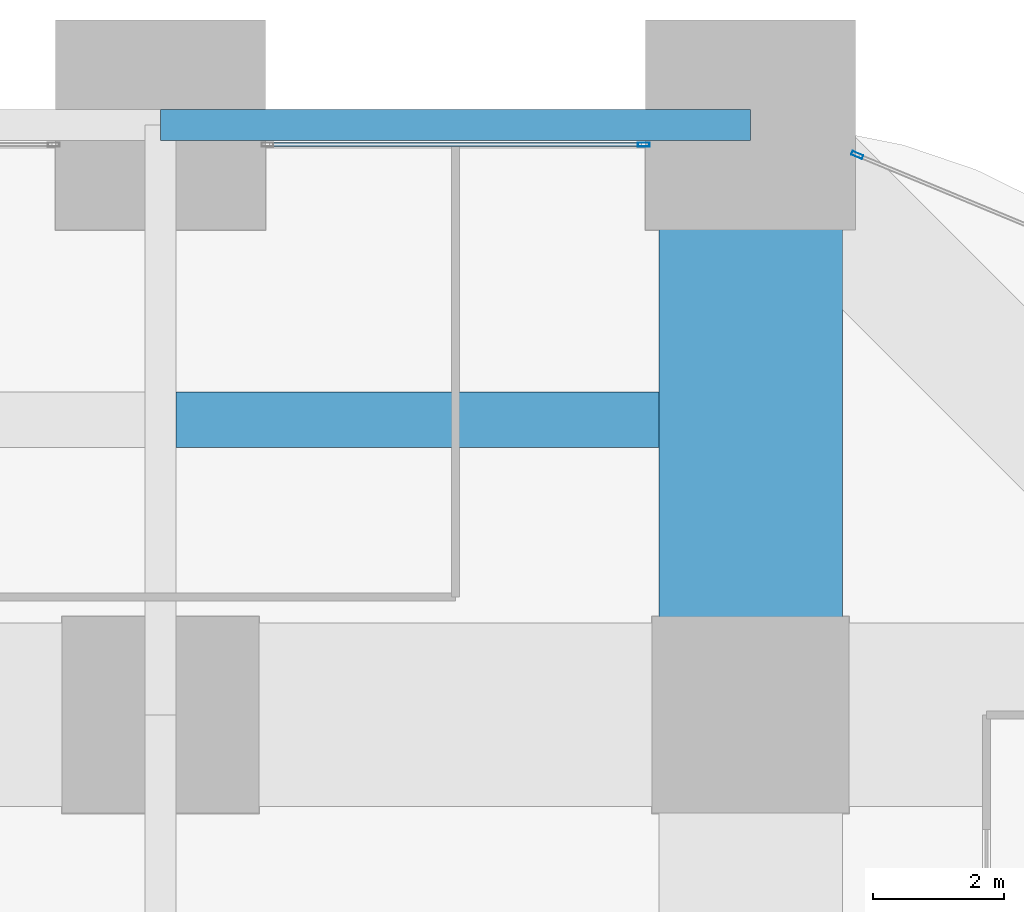
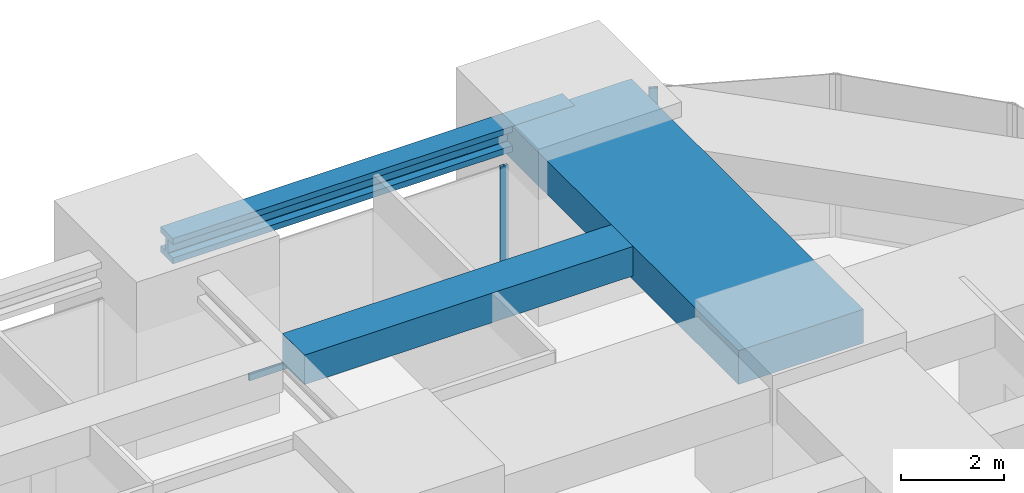
# One storey, part 35 of 42: 3 beams, 3 members, 2 elements without a shape of their own.
"""IFC4 building model written with IfcOpenShell, lengths in metres."""

from ifc_helpers import new_model, si_unit, direction, frame, origin, origin_2d, place, context, subcontext, project, spatial, rectangle, hollow_rectangle, i_section, extrude, material, material_profile, profile_set, type_object, element, aggregate, save


model = new_model("IFC4")

# Units and contexts
model_context = context("Model", 3, precision=1e-05, world=origin(), true_north=direction((0.0, 1.0)))
body_context = subcontext(model_context, "Body", "Model", "MODEL_VIEW")
ifc_project = project(units=[si_unit("LENGTHUNIT", "METRE"), si_unit("AREAUNIT", "SQUARE_METRE"), si_unit("VOLUMEUNIT", "CUBIC_METRE"), si_unit("PLANEANGLEUNIT", "RADIAN"), si_unit("MASSUNIT", "GRAM", prefix="KILO")], contexts=[model_context])

# Site, building, storey
site_placement = place(None, origin())
site = spatial("IfcSite", under=ifc_project, at=site_placement, CompositionType="ELEMENT")
building_placement = place(site_placement, origin())
building = spatial("IfcBuilding", under=site, at=building_placement, Name="Zorevar Civic Tower", CompositionType="ELEMENT")
storey_placement = place(building_placement, frame((0.0, 0.0, 75.800048828125)))
storey = spatial("IfcBuildingStorey", under=building, at=storey_placement, Name="L18", CompositionType="ELEMENT", Elevation=75.800048828125)

# Beams
ifc_material_1 = material(Name="Concrete C50/60", Category="concrete")
ifc_material_profile_1 = material_profile(ifc_material_1, rectangle(XDim=2.800048828125, YDim=0.800048828125, at=origin_2d()), Name="RC 2800x800")
ifc_profile_set_1 = profile_set([ifc_material_profile_1], Name="Concrete C50/60")
beam_type_1 = type_object("IfcBeamType", Name="Beam RC 2800x800", PredefinedType="BEAM", material=ifc_profile_set_1)
beam_1_placement = place(storey_placement, frame((54.0, 45.0, 3.449951171875), z_axis=(0.0, 1.0, 0.0), x_axis=(-1.0, 0.0, 0.0)))
element("IfcBeam", 1, at=beam_1_placement, inside=storey, type_object=beam_type_1, Name="Girder L19", PredefinedType="BEAM", context=body_context, shape_type="SweptSolid", body=[
    extrude(rectangle(XDim=2.800048828125, YDim=0.800048828125, at=origin_2d()), origin(), (0.0, 0.0, 1.0), 9.0),
])
ifc_material_2 = material(Name="Concrete C50/60", Category="concrete")
ifc_material_profile_2 = material_profile(ifc_material_2, rectangle(XDim=0.85009765625, YDim=0.699951171875, at=origin_2d()), Name="RC 850x700")
ifc_profile_set_2 = profile_set([ifc_material_profile_2], Name="Concrete C50/60")
beam_type_2 = type_object("IfcBeamType", Name="Beam RC 850x700", PredefinedType="BEAM", material=ifc_profile_set_2)
beam_2_placement = place(storey_placement, frame((45.238037109375, 49.5, 3.5), z_axis=(1.0, 0.0, 0.0), x_axis=(0.0, 1.0, 0.0)))
element("IfcBeam", 2, at=beam_2_placement, inside=storey, type_object=beam_type_2, Name="Secondary beam L19", PredefinedType="BEAM", context=body_context, shape_type="SweptSolid", body=[
    extrude(rectangle(XDim=0.85009765625, YDim=0.699951171875, at=origin_2d()), origin(), (0.0, 0.0, 1.0), 7.362060546875),
])
ifc_material_3 = material(Name="Steel S460M (HISTAR 460)", Category="steel")
ifc_material_profile_3 = material_profile(ifc_material_3, i_section(OverallWidth=0.47607421875, OverallDepth=0.60009765625, WebThickness=0.10009765625, FlangeThickness=0.139892578125, FilletRadius=0.014892578125, at=origin_2d()), Name="HD 400x1299")
ifc_profile_set_3 = profile_set([ifc_material_profile_3], Name="Steel S460M (HISTAR 460)")
beam_type_3 = type_object("IfcBeamType", Name="Belt chord HD 400x1299", PredefinedType="BEAM", material=ifc_profile_set_3)
beam_3_placement = place(storey_placement, frame((45.0, 54.0, 3.550048828125), z_axis=(1.0, 0.0, 0.0), x_axis=(0.0, 1.0, 0.0)))
element("IfcBeam", 3, at=beam_3_placement, inside=storey, type_object=beam_type_3, Name="Belt chord L19", PredefinedType="BEAM", context=body_context, shape_type="SweptSolid", body=[
    extrude(i_section(OverallWidth=0.47607421875, OverallDepth=0.60009765625, WebThickness=0.10009765625, FlangeThickness=0.139892578125, FilletRadius=0.014892578125, at=origin_2d()), origin(), (0.0, 0.0, 1.0), 9.0),
])

# Curtain wall, member
ifc_material_4 = material(Name="Dark grey solar-control glass in black aluminium frame", Category="aluminium")
curtain_wall_type = type_object("IfcCurtainWallType", Name="Curtain wall CW2 low zone", PredefinedType="NOTDEFINED", material=ifc_material_4)
curtain_wall_1_placement = place(storey_placement, origin())
curtain_wall_1 = element("IfcCurtainWall", 4, at=curtain_wall_1_placement, inside=storey, type_object=curtain_wall_type, Name="CW2 L18", PredefinedType="NOTDEFINED")
ifc_material_5 = material(Name="Aluminium, black anodised", Category="aluminium")
ifc_material_profile_4 = material_profile(ifc_material_5, hollow_rectangle(XDim=0.06005859375, YDim=0.179931640625, WallThickness=0.00390625, at=origin_2d()), Name="AL 180x60x4")
ifc_profile_set_4 = profile_set([ifc_material_profile_4], Name="Aluminium, black anodised")
member_type_1 = type_object("IfcMemberType", Name="CW2 mullion AL 180x60x4", PredefinedType="MULLION", material=ifc_profile_set_4)
member_1_placement = place(storey_placement, frame((52.3701171875, 53.699951171875, 0.0), z_axis=(0.0, 0.0, 1.0), x_axis=(0.0, 1.0, 0.0)))
member_1 = element("IfcMember", 5, at=member_1_placement, type_object=member_type_1, Name="CW2 mullion 2", PredefinedType="MULLION", context=body_context, shape_type="SweptSolid", body=[
    extrude(hollow_rectangle(XDim=0.06005859375, YDim=0.179931640625, WallThickness=0.00390625, at=origin_2d()), origin(), (0.0, 0.0, 1.0), 3.050048828125),
])

curtain_wall_2_placement = place(storey_placement, origin())
curtain_wall_2 = element("IfcCurtainWall", 6, at=curtain_wall_2_placement, inside=storey, type_object=curtain_wall_type, Name="CW2 L18", PredefinedType="NOTDEFINED")
member_2_placement = place(storey_placement, frame((55.627685546875, 53.5400390625, 0.0), z_axis=(0.0, 0.0, 1.0), x_axis=(-0.382841193399, -0.92381416997, 0.0)))
member_2 = element("IfcMember", 7, at=member_2_placement, type_object=member_type_1, Name="CW2 mullion 2", PredefinedType="MULLION", context=body_context, shape_type="SweptSolid", body=[
    extrude(hollow_rectangle(XDim=0.06005859375, YDim=0.179931640625, WallThickness=0.00390625, at=origin_2d()), origin(), (0.0, 0.0, 1.0), 3.849853515625),
])
aggregate(curtain_wall_2, [member_2])

# Member
ifc_material_6 = material(Name="Aluminium, black anodised", Category="aluminium")
ifc_material_profile_5 = material_profile(ifc_material_6, hollow_rectangle(XDim=0.06005859375, YDim=0.14990234375, WallThickness=0.00390625, at=origin_2d()), Name="AL 150x60x4")
ifc_profile_set_5 = profile_set([ifc_material_profile_5], Name="Aluminium, black anodised")
member_type_2 = type_object("IfcMemberType", Name="CW2 transom AL 150x60x4", PredefinedType="USERDEFINED", material=ifc_profile_set_5)
member_3_placement = place(storey_placement, frame((46.659912109375, 53.699951171875, 0.030029296875), z_axis=(1.0, 0.0, 0.0), x_axis=(0.0, 1.0, 0.0)))
member_3 = element("IfcMember", 8, at=member_3_placement, type_object=member_type_2, Name="CW2 sill transom", ObjectType="TRANSOM", PredefinedType="USERDEFINED", context=body_context, shape_type="SweptSolid", body=[
    extrude(hollow_rectangle(XDim=0.06005859375, YDim=0.14990234375, WallThickness=0.00390625, at=origin_2d()), origin(), (0.0, 0.0, 1.0), 5.68017578125),
])

aggregate(curtain_wall_1, [member_1, member_3])

save(model, "model.ifc")
